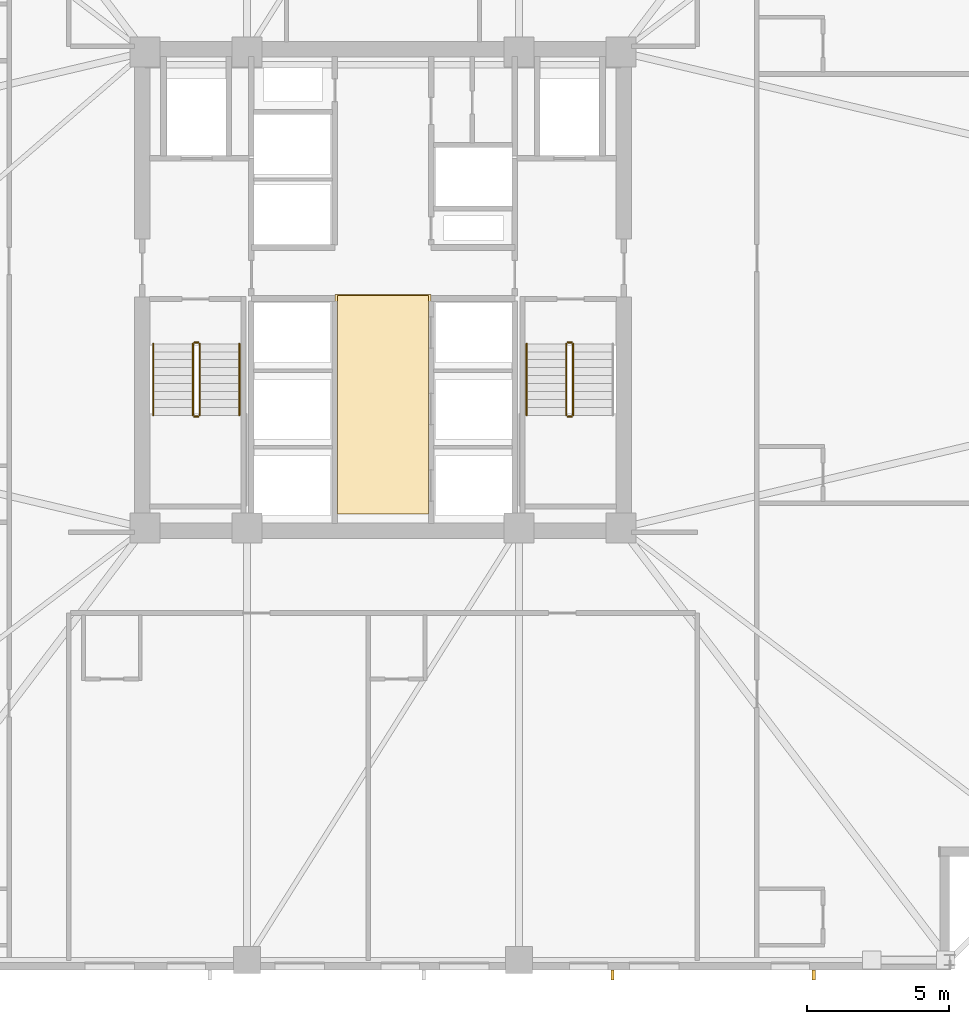
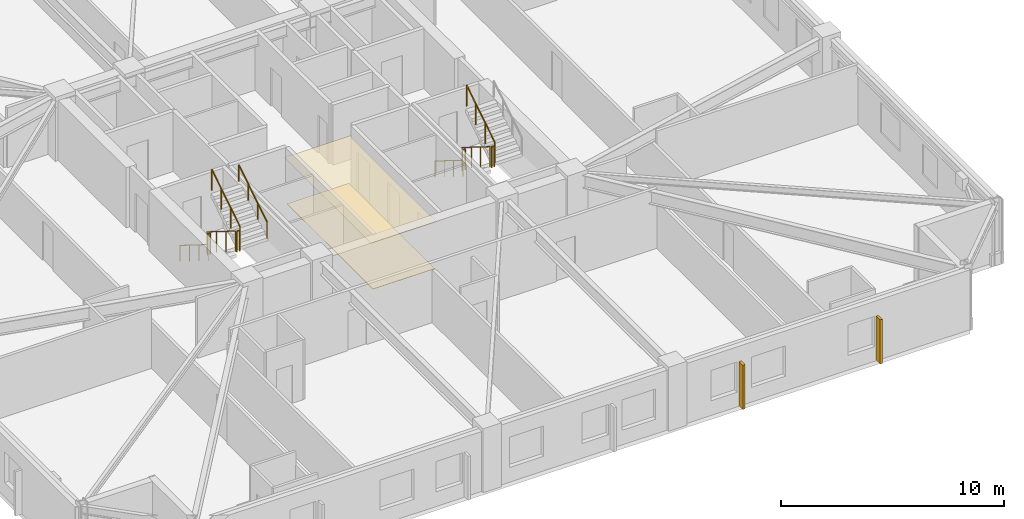
# One storey, part 8 of 11: 11 railings, 2 coverings, 2 shading devices.
"""IFC4 building model written with IfcOpenShell, lengths in metres."""

from ifc_helpers import new_model, si_unit, direction, frame, origin, origin_2d, place, context, subcontext, project, spatial, polyline, rectangle, circle, outline, extrude, material, layer, layer_set, type_object, element, save


model = new_model("IFC4")

# Units and contexts
model_context = context("Model", 3, precision=1e-05, world=origin(), true_north=direction((0.0, 1.0)))
body_context = subcontext(model_context, "Body", "Model", "MODEL_VIEW")
ifc_project = project(units=[si_unit("LENGTHUNIT", "METRE"), si_unit("AREAUNIT", "SQUARE_METRE"), si_unit("VOLUMEUNIT", "CUBIC_METRE"), si_unit("PLANEANGLEUNIT", "RADIAN"), si_unit("MASSUNIT", "GRAM", prefix="KILO")], contexts=[model_context])

# Site, building, storey
site_placement = place(None, origin())
site = spatial("IfcSite", under=ifc_project, at=site_placement, CompositionType="ELEMENT")
building_placement = place(site_placement, origin())
building = spatial("IfcBuilding", under=site, at=building_placement, Name="Cairnveth Concourse Tower", CompositionType="ELEMENT")
storey_placement = place(building_placement, frame((0.0, 0.0, 106.0)))
storey = spatial("IfcBuildingStorey", under=building, at=storey_placement, Name="L28", CompositionType="ELEMENT", Elevation=106.0)

# Covering
ifc_material_1 = material(Name="Acoustic Mineral Fibre Ceiling", Category="gypsum")
ifc_layer_1 = layer(ifc_material_1, 0.02490234375)
ifc_layer_set_1 = layer_set([ifc_layer_1], Name="Acoustic Mineral Fibre Ceiling")
covering_type_1 = type_object("IfcCoveringType", Name="ACOUSTIC MINERAL FIBRE CEILING 25", PredefinedType="CEILING", material=ifc_layer_set_1)
covering_1_placement = place(storey_placement, frame((0.0, 0.0, 2.5400390625)))
element("IfcCovering", 1, at=covering_1_placement, inside=storey, type_object=covering_type_1, Name="Lift Lobby Acoustic Ceiling L28", PredefinedType="CEILING", context=body_context, shape_type="SweptSolid", body=[
    extrude(outline(polyline([(50.300048828125, 31.10009765625), (53.699951171875, 31.10009765625), (53.699951171875, 38.85009765625), (50.300048828125, 38.85009765625), (50.300048828125, 31.10009765625)])), origin(), (0.0, 0.0, 1.0), 0.02490234375),
])

# Shading devices
ifc_material_2 = material(Name="Architectural Bronze Anodised Aluminium 6063-T6", Category="aluminium")
shading_device_type = type_object("IfcShadingDeviceType", Name="GOTHIC BRONZE VERTICAL LANCET FIN", PredefinedType="USERDEFINED", material=ifc_material_2)
for number, where, z_axis, x_axis, name in (
    (2, (67.208251953125, 14.824951171875, 0.030029296875), (0.0, 0.0, 1.0), (1.0, 0.0, 0.0), "Gothic Bronze Vertical Fin L28-6-1"),
    (3, (60.10107421875, 14.824951171875, 0.030029296875), (0.0, 0.0, 1.0), (1.0, 0.0, 0.0), "Gothic Bronze Vertical Fin L28-6-3"),
):
    element("IfcShadingDevice", number, at=place(storey_placement, frame(where, z_axis=z_axis, x_axis=x_axis)), inside=storey, type_object=shading_device_type, Name=name, ObjectType="VERTICAL FIN", PredefinedType="USERDEFINED", context=body_context, shape_type="SweptSolid", body=[
        extrude(rectangle(XDim=0.1201171875, YDim=0.360107421875, at=origin_2d()), origin(), (0.0, 0.0, 1.0), 2.419921875),
    ])

# Railings
ifc_material_3 = material(Name="Steel Grade 350", Category="steel")
railing_type_1 = type_object("IfcRailingType", Name="STAIR GUARDRAIL 1150", PredefinedType="GUARDRAIL", material=ifc_material_3)
railing_1_placement = place(storey_placement, frame((45.2900390625, 37.10009765625, 0.175048828125)))
element("IfcRailing", 4, at=railing_1_placement, inside=storey, type_object=railing_type_1, Name="L28 ST-1 stair guard 1", PredefinedType="GUARDRAIL", context=body_context, shape_type="SweptSolid", body=[
    extrude(circle(Radius=0.02392578125, at=origin_2d()), frame((0.0, 0.0, 1.1259765625), z_axis=(0.0, -0.848007534815, 0.529984170421), x_axis=(1.0, 0.0, 0.0)), (0.0, 0.0, 1.0), 2.9716796875),
    extrude(circle(Radius=0.02099609375, at=origin_2d()), origin(), (0.0, 0.0, 1.0), 1.101806640625),
    extrude(circle(Radius=0.02099609375, at=origin_2d()), frame((0.0, -0.840087890625, 0.52490234375)), (0.0, 0.0, 1.0), 1.101806640625),
    extrude(circle(Radius=0.02099609375, at=origin_2d()), frame((0.0, -1.679931640625, 1.050048828125)), (0.0, 0.0, 1.0), 1.101806640625),
    extrude(circle(Radius=0.02099609375, at=origin_2d()), frame((0.0, -2.52001953125, 1.574951171875)), (0.0, 0.0, 1.0), 1.101806640625),
])
railing_2_placement = place(storey_placement, frame((45.340087890625, 34.530029296875, 1.75)))
element("IfcRailing", 5, at=railing_2_placement, inside=storey, type_object=railing_type_1, Name="L28 ST-1 stair guard 2", PredefinedType="GUARDRAIL", context=body_context, shape_type="SweptSolid", body=[
    extrude(circle(Radius=0.02392578125, at=origin_2d()), frame((0.0, 0.0, 1.1259765625), z_axis=(1.0, 0.0, 0.0), x_axis=(0.0, 1.0, 0.0)), (0.0, 0.0, 1.0), 0.139892578125),
    extrude(circle(Radius=0.02099609375, at=origin_2d()), origin(), (0.0, 0.0, 1.0), 1.101806640625),
    extrude(circle(Radius=0.02099609375, at=origin_2d()), frame((0.139892578125, 0.0, 0.0)), (0.0, 0.0, 1.0), 1.101806640625),
])
railing_3_placement = place(storey_placement, frame((45.530029296875, 34.580078125, 1.925048828125)))
element("IfcRailing", 6, at=railing_3_placement, inside=storey, type_object=railing_type_1, Name="L28 ST-1 stair guard 3", PredefinedType="GUARDRAIL", context=body_context, shape_type="SweptSolid", body=[
    extrude(circle(Radius=0.02392578125, at=origin_2d()), frame((0.0, 0.0, 1.1259765625), z_axis=(0.0, 0.848007534815, 0.529984170421), x_axis=(-1.0, 0.0, 0.0)), (0.0, 0.0, 1.0), 2.9716796875),
    extrude(circle(Radius=0.02099609375, at=origin_2d()), origin(), (0.0, 0.0, 1.0), 1.101806640625),
    extrude(circle(Radius=0.02099609375, at=origin_2d()), frame((0.0, 0.840087890625, 0.52490234375)), (0.0, 0.0, 1.0), 1.101806640625),
    extrude(circle(Radius=0.02099609375, at=origin_2d()), frame((0.0, 1.679931640625, 1.050048828125)), (0.0, 0.0, 1.0), 1.101806640625),
    extrude(circle(Radius=0.02099609375, at=origin_2d()), frame((0.0, 2.52001953125, 1.574951171875)), (0.0, 0.0, 1.0), 1.101806640625),
])
railing_4_placement = place(storey_placement, frame((45.340087890625, 37.14990234375, 0.0)))
element("IfcRailing", 7, at=railing_4_placement, inside=storey, type_object=railing_type_1, Name="L28 ST-1 stair guard 4", PredefinedType="GUARDRAIL", context=body_context, shape_type="SweptSolid", body=[
    extrude(circle(Radius=0.02392578125, at=origin_2d()), frame((0.0, 0.0, 1.1259765625), z_axis=(1.0, 0.0, 0.0), x_axis=(0.0, 1.0, 0.0)), (0.0, 0.0, 1.0), 0.139892578125),
    extrude(circle(Radius=0.02099609375, at=origin_2d()), origin(), (0.0, 0.0, 1.0), 1.101806640625),
    extrude(circle(Radius=0.02099609375, at=origin_2d()), frame((0.139892578125, 0.0, 0.0)), (0.0, 0.0, 1.0), 1.101806640625),
])
railing_5_placement = place(storey_placement, frame((58.469970703125, 37.10009765625, 0.175048828125)))
element("IfcRailing", 8, at=railing_5_placement, inside=storey, type_object=railing_type_1, Name="L28 ST-2 stair guard 1", PredefinedType="GUARDRAIL", context=body_context, shape_type="SweptSolid", body=[
    extrude(circle(Radius=0.02392578125, at=origin_2d()), frame((0.0, 0.0, 1.1259765625), z_axis=(0.0, -0.848007534815, 0.529984170421), x_axis=(1.0, 0.0, 0.0)), (0.0, 0.0, 1.0), 2.9716796875),
    extrude(circle(Radius=0.02099609375, at=origin_2d()), origin(), (0.0, 0.0, 1.0), 1.101806640625),
    extrude(circle(Radius=0.02099609375, at=origin_2d()), frame((0.0, -0.840087890625, 0.52490234375)), (0.0, 0.0, 1.0), 1.101806640625),
    extrude(circle(Radius=0.02099609375, at=origin_2d()), frame((0.0, -1.679931640625, 1.050048828125)), (0.0, 0.0, 1.0), 1.101806640625),
    extrude(circle(Radius=0.02099609375, at=origin_2d()), frame((0.0, -2.52001953125, 1.574951171875)), (0.0, 0.0, 1.0), 1.101806640625),
])
railing_6_placement = place(storey_placement, frame((58.52001953125, 34.530029296875, 1.75)))
element("IfcRailing", 9, at=railing_6_placement, inside=storey, type_object=railing_type_1, Name="L28 ST-2 stair guard 2", PredefinedType="GUARDRAIL", context=body_context, shape_type="SweptSolid", body=[
    extrude(circle(Radius=0.02392578125, at=origin_2d()), frame((0.0, 0.0, 1.1259765625), z_axis=(1.0, 0.0, 0.0), x_axis=(0.0, 1.0, 0.0)), (0.0, 0.0, 1.0), 0.139892578125),
    extrude(circle(Radius=0.02099609375, at=origin_2d()), origin(), (0.0, 0.0, 1.0), 1.101806640625),
    extrude(circle(Radius=0.02099609375, at=origin_2d()), frame((0.139892578125, 0.0, 0.0)), (0.0, 0.0, 1.0), 1.101806640625),
])
railing_7_placement = place(storey_placement, frame((58.7099609375, 34.580078125, 1.925048828125)))
element("IfcRailing", 10, at=railing_7_placement, inside=storey, type_object=railing_type_1, Name="L28 ST-2 stair guard 3", PredefinedType="GUARDRAIL", context=body_context, shape_type="SweptSolid", body=[
    extrude(circle(Radius=0.02392578125, at=origin_2d()), frame((0.0, 0.0, 1.1259765625), z_axis=(0.0, 0.848007534815, 0.529984170421), x_axis=(-1.0, 0.0, 0.0)), (0.0, 0.0, 1.0), 2.9716796875),
    extrude(circle(Radius=0.02099609375, at=origin_2d()), origin(), (0.0, 0.0, 1.0), 1.101806640625),
    extrude(circle(Radius=0.02099609375, at=origin_2d()), frame((0.0, 0.840087890625, 0.52490234375)), (0.0, 0.0, 1.0), 1.101806640625),
    extrude(circle(Radius=0.02099609375, at=origin_2d()), frame((0.0, 1.679931640625, 1.050048828125)), (0.0, 0.0, 1.0), 1.101806640625),
    extrude(circle(Radius=0.02099609375, at=origin_2d()), frame((0.0, 2.52001953125, 1.574951171875)), (0.0, 0.0, 1.0), 1.101806640625),
])
railing_8_placement = place(storey_placement, frame((58.52001953125, 37.14990234375, 0.0)))
element("IfcRailing", 11, at=railing_8_placement, inside=storey, type_object=railing_type_1, Name="L28 ST-2 stair guard 4", PredefinedType="GUARDRAIL", context=body_context, shape_type="SweptSolid", body=[
    extrude(circle(Radius=0.02392578125, at=origin_2d()), frame((0.0, 0.0, 1.1259765625), z_axis=(1.0, 0.0, 0.0), x_axis=(0.0, 1.0, 0.0)), (0.0, 0.0, 1.0), 0.139892578125),
    extrude(circle(Radius=0.02099609375, at=origin_2d()), origin(), (0.0, 0.0, 1.0), 1.101806640625),
    extrude(circle(Radius=0.02099609375, at=origin_2d()), frame((0.139892578125, 0.0, 0.0)), (0.0, 0.0, 1.0), 1.101806640625),
])
railing_type_2 = type_object("IfcRailingType", Name="STAIR WALL HANDRAIL 900", PredefinedType="HANDRAIL", material=ifc_material_3)
railing_9_placement = place(storey_placement, frame((43.889892578125, 37.10009765625, 0.175048828125)))
element("IfcRailing", 12, at=railing_9_placement, inside=storey, type_object=railing_type_2, Name="L28 ST-1 stair handrail 1", PredefinedType="HANDRAIL", context=body_context, shape_type="SweptSolid", body=[
    extrude(circle(Radius=0.02392578125, at=origin_2d()), frame((0.0, 0.0, 0.8759765625), z_axis=(0.0, -0.848007534815, 0.529984170421), x_axis=(1.0, 0.0, 0.0)), (0.0, 0.0, 1.0), 2.9716796875),
    extrude(circle(Radius=0.02099609375, at=origin_2d()), origin(), (0.0, 0.0, 1.0), 0.851806640625),
    extrude(circle(Radius=0.02099609375, at=origin_2d()), frame((0.0, -0.840087890625, 0.52490234375)), (0.0, 0.0, 1.0), 0.851806640625),
    extrude(circle(Radius=0.02099609375, at=origin_2d()), frame((0.0, -1.679931640625, 1.050048828125)), (0.0, 0.0, 1.0), 0.851806640625),
    extrude(circle(Radius=0.02099609375, at=origin_2d()), frame((0.0, -2.52001953125, 1.574951171875)), (0.0, 0.0, 1.0), 0.851806640625),
])
railing_10_placement = place(storey_placement, frame((46.929931640625, 34.580078125, 1.925048828125)))
element("IfcRailing", 13, at=railing_10_placement, inside=storey, type_object=railing_type_2, Name="L28 ST-1 stair handrail 2", PredefinedType="HANDRAIL", context=body_context, shape_type="SweptSolid", body=[
    extrude(circle(Radius=0.02392578125, at=origin_2d()), frame((0.0, 0.0, 0.8759765625), z_axis=(0.0, 0.848007534815, 0.529984170421), x_axis=(-1.0, 0.0, 0.0)), (0.0, 0.0, 1.0), 2.9716796875),
    extrude(circle(Radius=0.02099609375, at=origin_2d()), origin(), (0.0, 0.0, 1.0), 0.851806640625),
    extrude(circle(Radius=0.02099609375, at=origin_2d()), frame((0.0, 0.840087890625, 0.52490234375)), (0.0, 0.0, 1.0), 0.851806640625),
    extrude(circle(Radius=0.02099609375, at=origin_2d()), frame((0.0, 1.679931640625, 1.050048828125)), (0.0, 0.0, 1.0), 0.851806640625),
    extrude(circle(Radius=0.02099609375, at=origin_2d()), frame((0.0, 2.52001953125, 1.574951171875)), (0.0, 0.0, 1.0), 0.851806640625),
])
railing_11_placement = place(storey_placement, frame((57.070068359375, 37.10009765625, 0.175048828125)))
element("IfcRailing", 14, at=railing_11_placement, inside=storey, type_object=railing_type_2, Name="L28 ST-2 stair handrail 1", PredefinedType="HANDRAIL", context=body_context, shape_type="SweptSolid", body=[
    extrude(circle(Radius=0.02392578125, at=origin_2d()), frame((0.0, 0.0, 0.8759765625), z_axis=(0.0, -0.848007534815, 0.529984170421), x_axis=(1.0, 0.0, 0.0)), (0.0, 0.0, 1.0), 2.9716796875),
    extrude(circle(Radius=0.02099609375, at=origin_2d()), origin(), (0.0, 0.0, 1.0), 0.851806640625),
    extrude(circle(Radius=0.02099609375, at=origin_2d()), frame((0.0, -0.840087890625, 0.52490234375)), (0.0, 0.0, 1.0), 0.851806640625),
    extrude(circle(Radius=0.02099609375, at=origin_2d()), frame((0.0, -1.679931640625, 1.050048828125)), (0.0, 0.0, 1.0), 0.851806640625),
    extrude(circle(Radius=0.02099609375, at=origin_2d()), frame((0.0, -2.52001953125, 1.574951171875)), (0.0, 0.0, 1.0), 0.851806640625),
])

# Covering
ifc_material_4 = material(Name="Vitrified Stoneware Tile Flooring", Category="masonry")
ifc_layer_2 = layer(ifc_material_4, 0.02001953125)
ifc_layer_set_2 = layer_set([ifc_layer_2], Name="Vitrified Stoneware Tile Flooring")
covering_type_2 = type_object("IfcCoveringType", Name="VITRIFIED STONEWARE LOBBY FLOORING 20", PredefinedType="FLOORING", material=ifc_layer_set_2)
covering_2_placement = place(storey_placement, origin())
element("IfcCovering", 15, at=covering_2_placement, inside=storey, type_object=covering_type_2, Name="Lift Lobby Stoneware Flooring L28", PredefinedType="FLOORING", context=body_context, shape_type="SweptSolid", body=[
    extrude(outline(polyline([(50.39990234375, 31.10009765625), (53.60009765625, 31.10009765625), (53.60009765625, 38.800048828125), (50.39990234375, 38.800048828125), (50.39990234375, 31.10009765625)])), origin(), (0.0, 0.0, 1.0), 0.02001953125),
])

save(model, "model.ifc")
